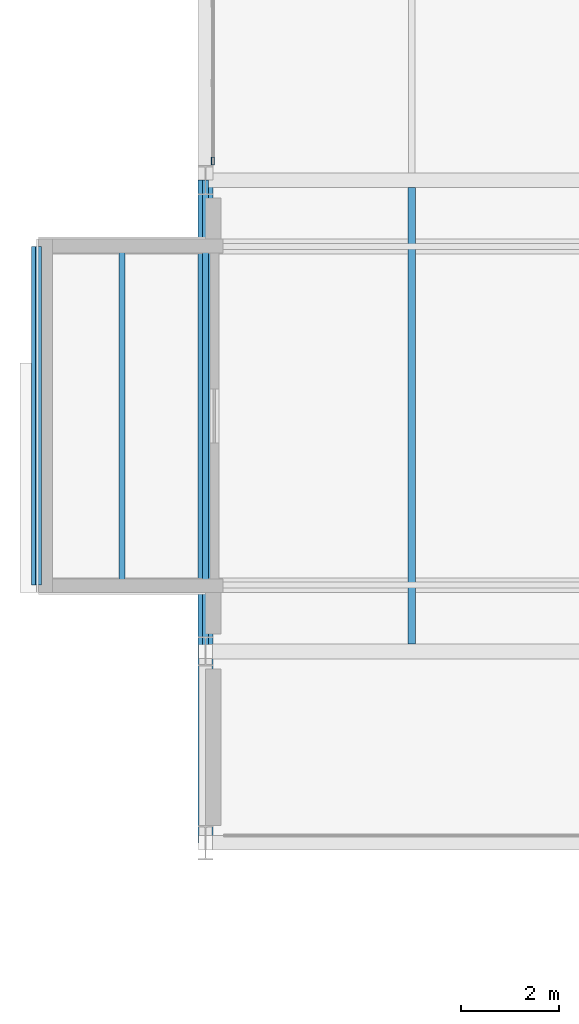
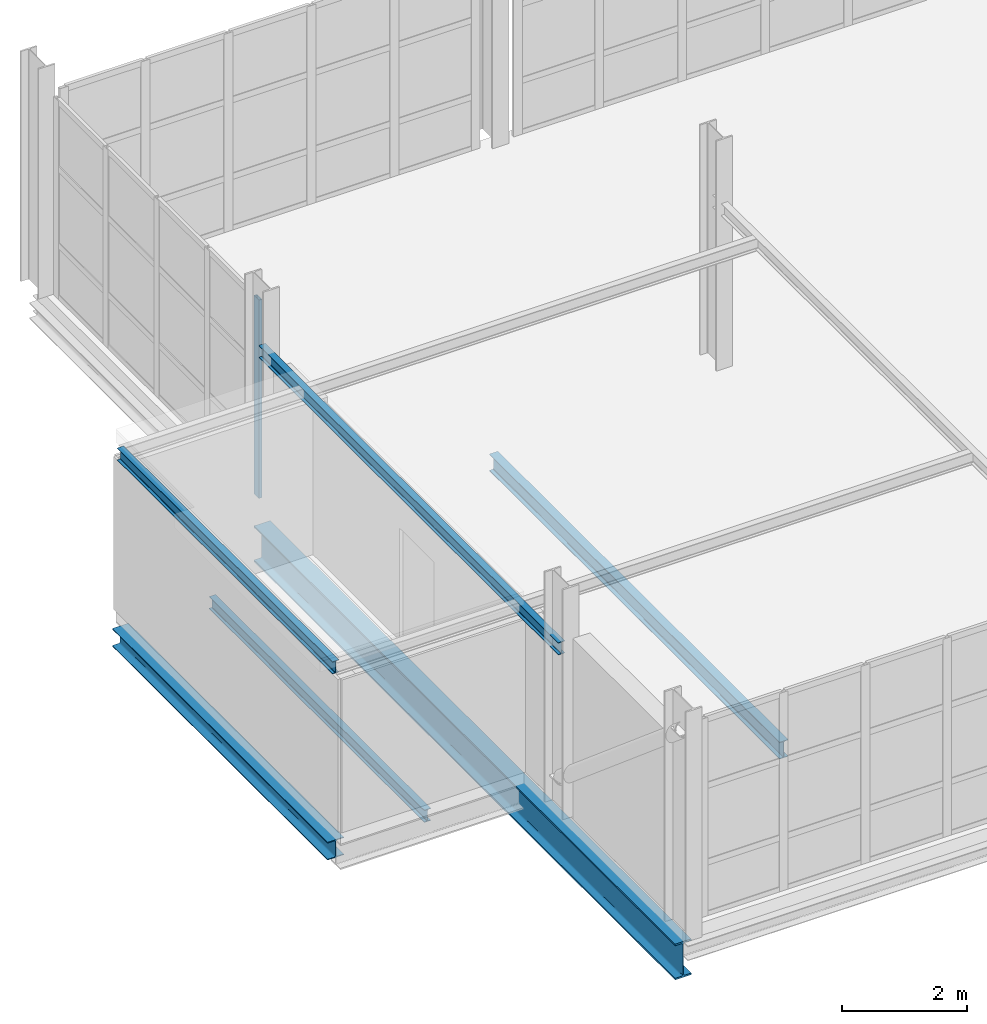
# One storey, part 15 of 109: 6 beams, 1 member, 1 element without a shape of its own.
"""IFC4 building model written with IfcOpenShell, lengths in metres."""

from ifc_helpers import new_model, si_unit, direction, frame, origin, origin_2d, place, context, subcontext, project, spatial, hollow_rectangle, i_section, extrude, material, material_profile, profile_set, type_object, element, aggregate, save


model = new_model("IFC4")

# Units and contexts
model_context = context("Model", 3, precision=1e-05, world=origin(), true_north=direction((0.0, 1.0)))
body_context = subcontext(model_context, "Body", "Model", "MODEL_VIEW")
ifc_project = project(units=[si_unit("LENGTHUNIT", "METRE"), si_unit("AREAUNIT", "SQUARE_METRE"), si_unit("VOLUMEUNIT", "CUBIC_METRE"), si_unit("PLANEANGLEUNIT", "RADIAN"), si_unit("MASSUNIT", "GRAM", prefix="KILO")], contexts=[model_context])

# Site, building, storey
site_placement = place(None, origin())
site = spatial("IfcSite", under=ifc_project, at=site_placement, CompositionType="ELEMENT")
building_placement = place(site_placement, origin())
building = spatial("IfcBuilding", under=site, at=building_placement, Name="Veltarok Museum of Natural Sciences", CompositionType="ELEMENT")
storey_placement = place(building_placement, frame((0.0, 0.0, 17.39990234375)))
storey = spatial("IfcBuildingStorey", under=building, at=storey_placement, Name="L03", CompositionType="ELEMENT", Elevation=17.39990234375)

# Beams
ifc_material_1 = material(Name="Steel S355J2", Category="steel")
ifc_material_profile_1 = material_profile(ifc_material_1, i_section(OverallWidth=0.1201171875, OverallDepth=0.239990234375, WebThickness=0.006103515625, FlangeThickness=0.009765625, FilletRadius=0.014892578125, at=origin_2d()), Name="IPE 240")
ifc_profile_set_1 = profile_set([ifc_material_profile_1], Name="Steel S355J2")
beam_type_1 = type_object("IfcBeamType", Name="Cabinet Box Secondary Joist IPE 240", PredefinedType="JOIST", material=ifc_profile_set_1)
beam_1_placement = place(storey_placement, frame((6.39990234375, 9.60009765625, 3.130126953125), z_axis=(0.0, 1.0, 0.0), x_axis=(-1.0, 0.0, 0.0)))
element("IfcBeam", 1, at=beam_1_placement, inside=storey, type_object=beam_type_1, Name="Cabinet Roof Tie Beam DB-33-P", PredefinedType="JOIST", context=body_context, shape_type="SweptSolid", body=[
    extrude(i_section(OverallWidth=0.1201171875, OverallDepth=0.239990234375, WebThickness=0.006103515625, FlangeThickness=0.009765625, FilletRadius=0.014892578125, at=origin_2d()), origin(), (0.0, 0.0, 1.0), 9.599853515625),
])
for number, where, z_axis, x_axis, name in (
    (2, (3.0, 10.949951171875, 3.130126953125), (0.0, 1.0, 0.0), (-1.0, 0.0, 0.0), "Cabinet Roof Tip Header DB-33"),
    (3, (4.699951171875, 10.949951171875, -0.369873046875), (0.0, 1.0, 0.0), (-1.0, 0.0, 0.0), "Cabinet Box Joist DB-33"),
):
    element("IfcBeam", number, at=place(storey_placement, frame(where, z_axis=z_axis, x_axis=x_axis)), inside=storey, type_object=beam_type_1, Name=name, PredefinedType="JOIST", context=body_context, shape_type="SweptSolid", body=[
        extrude(i_section(OverallWidth=0.1201171875, OverallDepth=0.239990234375, WebThickness=0.006103515625, FlangeThickness=0.009765625, FilletRadius=0.014892578125, at=origin_2d()), origin(), (0.0, 0.0, 1.0), 6.900146484375),
    ])
ifc_material_profile_2 = material_profile(ifc_material_1, i_section(OverallWidth=0.300048828125, OverallDepth=0.35009765625, WebThickness=0.010009765625, FlangeThickness=0.017578125, FilletRadius=0.027099609375, at=origin_2d()), Name="HEA 360")
ifc_profile_set_2 = profile_set([ifc_material_profile_2], Name="Steel S355J2")
beam_type_2 = type_object("IfcBeamType", Name="Cabinet Box Tip Header HEA 360", PredefinedType="BEAM", material=ifc_profile_set_2)
beam_2_placement = place(storey_placement, frame((3.0, 10.949951171875, -0.4248046875), z_axis=(0.0, 1.0, 0.0), x_axis=(-1.0, 0.0, 0.0)))
element("IfcBeam", 4, at=beam_2_placement, inside=storey, type_object=beam_type_2, Name="Cabinet Tip Header DB-33", PredefinedType="BEAM", context=body_context, shape_type="SweptSolid", body=[
    extrude(i_section(OverallWidth=0.300048828125, OverallDepth=0.35009765625, WebThickness=0.010009765625, FlangeThickness=0.017578125, FilletRadius=0.027099609375, at=origin_2d()), origin(), (0.0, 0.0, 1.0), 6.900146484375),
])

# Curtain wall, member
ifc_material_2 = material(Name="Low-iron triple insulated glass", Category="glass")
curtain_wall_type = type_object("IfcCurtainWallType", Name="Curtain Wall System CW-BRG-W-L03-CD-648x388 (Bridge West Forecourt L03 C-D 648x388cm)", PredefinedType="NOTDEFINED", material=ifc_material_2)
curtain_wall_placement = place(storey_placement, origin())
curtain_wall = element("IfcCurtainWall", 5, at=curtain_wall_placement, inside=storey, type_object=curtain_wall_type, Name="Curtain Wall CW-BRG-W-L03-CD-648x388 CW-0046", PredefinedType="NOTDEFINED")
ifc_material_3 = material(Name="Thermally broken anodised aluminium", Category="aluminium")
ifc_material_profile_3 = material_profile(ifc_material_3, hollow_rectangle(XDim=0.06005859375, YDim=0.159912109375, WallThickness=0.0048828125, at=origin_2d()), Name="CW MULLION 60x160x5")
ifc_profile_set_3 = profile_set([ifc_material_profile_3], Name="Thermally broken anodised aluminium")
member_type = type_object("IfcMemberType", Name="Curtain Wall Vertical Mullion 60x160x5", PredefinedType="MULLION", material=ifc_profile_set_3)
member_placement = place(storey_placement, frame((6.550048828125, 19.590087890625, 0.0), z_axis=(0.0, 0.0, 1.0), x_axis=(1.0, 0.0, 0.0)))
member = element("IfcMember", 6, at=member_placement, type_object=member_type, Name="CW-BRG-W-L03-CD-648x388 mullion 5", PredefinedType="MULLION", context=body_context, shape_type="SweptSolid", body=[
    extrude(hollow_rectangle(XDim=0.06005859375, YDim=0.159912109375, WallThickness=0.0048828125, at=origin_2d()), origin(), (0.0, 0.0, 1.0), 3.880126953125),
])
aggregate(curtain_wall, [member])

# Beams
ifc_material_profile_4 = material_profile(ifc_material_1, i_section(OverallWidth=0.300048828125, OverallDepth=0.699951171875, WebThickness=0.01708984375, FlangeThickness=0.031982421875, FilletRadius=0.027099609375, at=origin_2d()), Name="HEB 700")
ifc_profile_set_4 = profile_set([ifc_material_profile_4], Name="Steel S355J2")
beam_type_3 = type_object("IfcBeamType", Name="Long-Span Hall Girder HEB 700", PredefinedType="BEAM", material=ifc_profile_set_4)
beam_3_placement = place(storey_placement, frame((6.39990234375, 5.699951171875, -0.599853515625), z_axis=(0.0, 1.0, 0.0), x_axis=(-1.0, 0.0, 0.0)))
element("IfcBeam", 7, at=beam_3_placement, inside=storey, type_object=beam_type_3, Name="Bridge Cantilever Girder L03 1", PredefinedType="BEAM", context=body_context, shape_type="SweptSolid", body=[
    extrude(i_section(OverallWidth=0.300048828125, OverallDepth=0.699951171875, WebThickness=0.01708984375, FlangeThickness=0.031982421875, FilletRadius=0.027099609375, at=origin_2d()), origin(), (0.0, 0.0, 1.0), 13.5),
])
ifc_material_profile_5 = material_profile(ifc_material_1, i_section(OverallWidth=0.159912109375, OverallDepth=0.330078125, WebThickness=0.007568359375, FlangeThickness=0.011474609375, FilletRadius=0.01806640625, at=origin_2d()), Name="IPE 330")
ifc_profile_set_5 = profile_set([ifc_material_profile_5], Name="Steel S355J2")
beam_type_4 = type_object("IfcBeamType", Name="Medium-Bay Composite Joist IPE 330", PredefinedType="JOIST", material=ifc_profile_set_5)
beam_4_placement = place(storey_placement, frame((10.60009765625, 9.748046875, -0.414794921875), z_axis=(0.0, 1.0, 0.0), x_axis=(-1.0, 0.0, 0.0)))
element("IfcBeam", 8, at=beam_4_placement, inside=storey, type_object=beam_type_4, Name="Secondary Joist BM-J02 L03 1-2/B-C.1", PredefinedType="JOIST", context=body_context, shape_type="SweptSolid", body=[
    extrude(i_section(OverallWidth=0.159912109375, OverallDepth=0.330078125, WebThickness=0.007568359375, FlangeThickness=0.011474609375, FilletRadius=0.01806640625, at=origin_2d()), origin(), (0.0, 0.0, 1.0), 9.303955078125),
])

save(model, "model.ifc")
